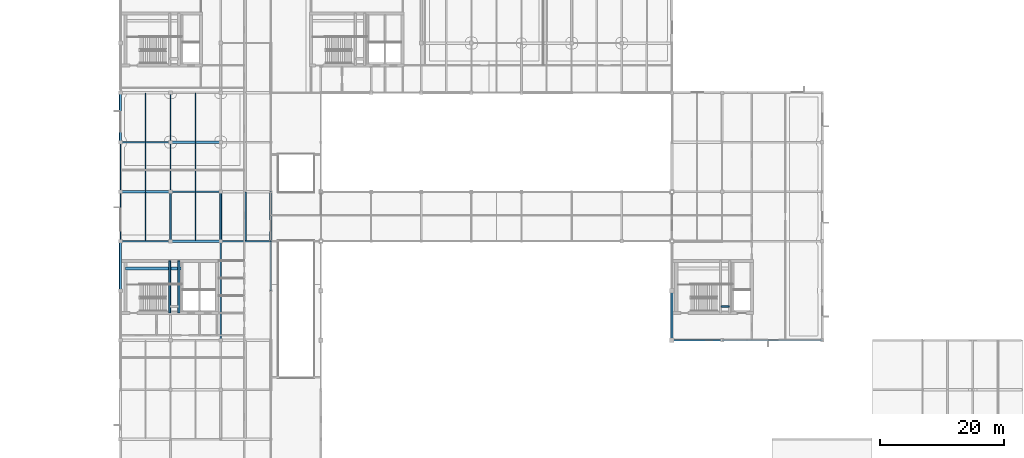
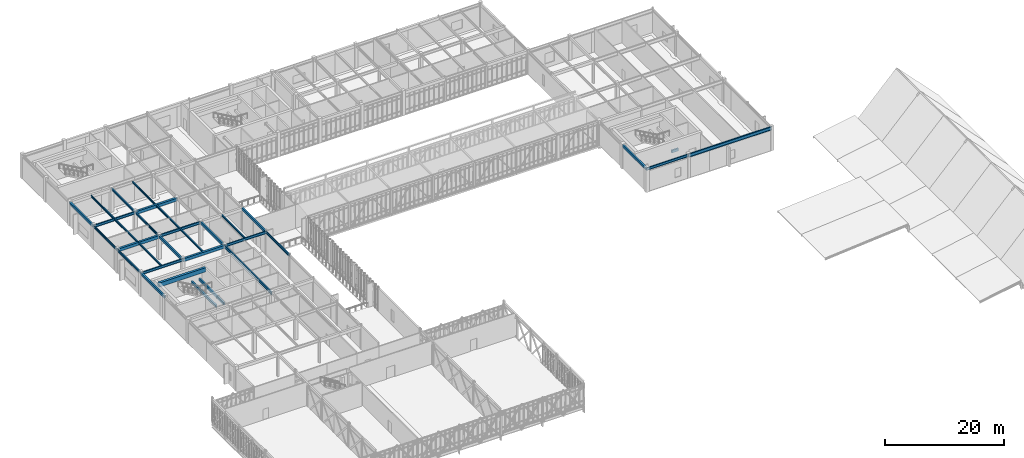
# One storey, part 25 of 107: 32 beams.
"""IFC4 building model written with IfcOpenShell, lengths in metres."""

from ifc_helpers import new_model, si_unit, direction, frame, origin, origin_2d, place, context, subcontext, project, spatial, rectangle, i_section, extrude, material, material_profile, profile_set, type_object, element, save


model = new_model("IFC4")

# Units and contexts
model_context = context("Model", 3, precision=1e-05, world=origin(), true_north=direction((0.0, 1.0)))
body_context = subcontext(model_context, "Body", "Model", "MODEL_VIEW")
ifc_project = project(units=[si_unit("LENGTHUNIT", "METRE"), si_unit("AREAUNIT", "SQUARE_METRE"), si_unit("VOLUMEUNIT", "CUBIC_METRE"), si_unit("PLANEANGLEUNIT", "RADIAN"), si_unit("MASSUNIT", "GRAM", prefix="KILO")], contexts=[model_context])

# Site, building, storey
site_placement = place(None, origin())
site = spatial("IfcSite", under=ifc_project, at=site_placement, CompositionType="ELEMENT")
building_placement = place(site_placement, origin())
building = spatial("IfcBuilding", under=site, at=building_placement, Name="Tarnveldt Square Police Headquarters", CompositionType="ELEMENT")
storey_placement = place(building_placement, frame((0.0, 0.0, 14.699951171875)))
storey = spatial("IfcBuildingStorey", under=building, at=storey_placement, Name="L03", CompositionType="ELEMENT", Elevation=14.699951171875)

# Beams
ifc_material_1 = material(Name="Concrete 50 MPa", Category="concrete")
ifc_material_profile_1 = material_profile(ifc_material_1, rectangle(XDim=0.449951171875, YDim=0.85009765625, at=origin_2d()), Name="RC-CB450x850")
ifc_profile_set_1 = profile_set([ifc_material_profile_1], Name="Concrete 50 MPa")
beam_type_1 = type_object("IfcBeamType", Name="BM-CB450x850", PredefinedType="BEAM", material=ifc_profile_set_1)
beam_1_placement = place(storey_placement, frame((17.0, 67.60009765625, 4.675048828125), z_axis=(1.0, 0.0, 0.0), x_axis=(0.0, 1.0, 0.0)))
element("IfcBeam", 1, at=beam_1_placement, inside=storey, type_object=beam_type_1, Name="Core K1 South-West Command and Firefighting Core L03 Ductile Coupling Beam", PredefinedType="BEAM", context=body_context, shape_type="SweptSolid", body=[
    extrude(rectangle(XDim=0.449951171875, YDim=0.85009765625, at=origin_2d()), origin(), (0.0, 0.0, 1.0), 9.14990234375),
])
ifc_material_2 = material(Name="Concrete 40 MPa", Category="concrete")
ifc_material_profile_2 = material_profile(ifc_material_2, rectangle(XDim=0.300048828125, YDim=0.5, at=origin_2d()), Name="RC-B300x500")
ifc_profile_set_2 = profile_set([ifc_material_profile_2], Name="Concrete 40 MPa")
beam_type_2 = type_object("IfcBeamType", Name="BM-RC300x500", PredefinedType="BEAM", material=ifc_profile_set_2)
for number, where, z_axis, x_axis, name in (
    (2, (24.14990234375, 60.39990234375, 2.10009765625), (0.0, 1.0, 0.0), (-1.0, 0.0, 0.0), "ST1 L03 Half-Landing Support Beam 1"),
    (3, (25.64990234375, 60.39990234375, 2.10009765625), (0.0, 1.0, 0.0), (-1.0, 0.0, 0.0), "ST1 L03 Half-Landing Transverse Support Beam"),
):
    element("IfcBeam", number, at=place(storey_placement, frame(where, z_axis=z_axis, x_axis=x_axis)), inside=storey, type_object=beam_type_2, Name=name, PredefinedType="BEAM", context=body_context, shape_type="SweptSolid", body=[
        extrude(rectangle(XDim=0.300048828125, YDim=0.5, at=origin_2d()), origin(), (0.0, 0.0, 1.0), 8.400146484375),
    ])
beam_2_placement = place(storey_placement, frame((113.25, 61.449951171875, 2.10009765625), z_axis=(1.0, 0.0, 0.0), x_axis=(0.0, 1.0, 0.0)))
element("IfcBeam", 4, at=beam_2_placement, inside=storey, type_object=beam_type_2, Name="ST4 L03 Half-Landing Support Beam 2", PredefinedType="BEAM", context=body_context, shape_type="SweptSolid", body=[
    extrude(rectangle(XDim=0.300048828125, YDim=0.5, at=origin_2d()), origin(), (0.0, 0.0, 1.0), 1.300048828125),
])
for number, where, z_axis, x_axis, name in (
    (5, (16.199951171875, 64.0, 4.590087890625), (0.0, 1.0, 0.0), (-1.0, 0.0, 0.0), "L04 Grid Girder Y-0865"),
    (6, (16.199951171875, 88.0, 4.590087890625), (0.0, 1.0, 0.0), (-1.0, 0.0, 0.0), "L04 Grid Girder Y-0868"),
    (7, (24.300048828125, 72.0, 4.590087890625), (0.0, 1.0, 0.0), (-1.0, 0.0, 0.0), "L04 Grid Girder Y-0874"),
    (8, (32.39990234375, 72.0, 4.590087890625), (0.0, 1.0, 0.0), (-1.0, 0.0, 0.0), "L04 Grid Girder Y-0880"),
    (9, (40.5, 72.0, 4.590087890625), (0.0, 1.0, 0.0), (-1.0, 0.0, 0.0), "L04 Grid Girder Y-0889"),
    (10, (105.300048828125, 56.0, 4.590087890625), (0.0, 1.0, 0.0), (-1.0, 0.0, 0.0), "L04 Grid Girder Y-0904"),
):
    element("IfcBeam", number, at=place(storey_placement, frame(where, z_axis=z_axis, x_axis=x_axis)), inside=storey, type_object=beam_type_2, Name=name, PredefinedType="BEAM", context=body_context, shape_type="SweptSolid", body=[
        extrude(rectangle(XDim=0.300048828125, YDim=0.5, at=origin_2d()), origin(), (0.0, 0.0, 1.0), 8.0),
    ])
ifc_material_profile_3 = material_profile(ifc_material_2, rectangle(XDim=0.39990234375, YDim=0.60009765625, at=origin_2d()), Name="RC-B400x600")
ifc_profile_set_3 = profile_set([ifc_material_profile_3], Name="Concrete 40 MPa")
beam_type_3 = type_object("IfcBeamType", Name="BM-RC400x600", PredefinedType="BEAM", material=ifc_profile_set_3)
beam_3_placement = place(storey_placement, frame((24.300048828125, 72.0, 4.5400390625), z_axis=(1.0, 0.0, 0.0), x_axis=(0.0, 1.0, 0.0)))
element("IfcBeam", 11, at=beam_3_placement, inside=storey, type_object=beam_type_3, Name="L04 Grid Girder X-0818", PredefinedType="BEAM", context=body_context, shape_type="SweptSolid", body=[
    extrude(rectangle(XDim=0.39990234375, YDim=0.60009765625, at=origin_2d()), origin(), (0.0, 0.0, 1.0), 8.099853515625),
])
beam_4_placement = place(storey_placement, frame((16.199951171875, 80.0, 4.5400390625), z_axis=(1.0, 0.0, 0.0), x_axis=(0.0, 1.0, 0.0)))
element("IfcBeam", 12, at=beam_4_placement, inside=storey, type_object=beam_type_3, Name="L04 Grid Girder X-0822", PredefinedType="BEAM", context=body_context, shape_type="SweptSolid", body=[
    extrude(rectangle(XDim=0.39990234375, YDim=0.60009765625, at=origin_2d()), origin(), (0.0, 0.0, 1.0), 8.10009765625),
])
beam_5_placement = place(storey_placement, frame((24.300048828125, 88.0, 4.5400390625), z_axis=(1.0, 0.0, 0.0), x_axis=(0.0, 1.0, 0.0)))
element("IfcBeam", 13, at=beam_5_placement, inside=storey, type_object=beam_type_3, Name="L04 Grid Girder X-0828", PredefinedType="BEAM", context=body_context, shape_type="SweptSolid", body=[
    extrude(rectangle(XDim=0.39990234375, YDim=0.60009765625, at=origin_2d()), origin(), (0.0, 0.0, 1.0), 8.099853515625),
])
ifc_material_3 = material(Name="Steel 350W", Category="steel")
ifc_material_profile_4 = material_profile(ifc_material_3, i_section(OverallWidth=0.202880859375, OverallDepth=0.302978515625, WebThickness=0.007568359375, FlangeThickness=0.01318359375, FilletRadius=0.014892578125, at=origin_2d()), Name="W310x60")
ifc_profile_set_4 = profile_set([ifc_material_profile_4], Name="Steel 350W")
beam_type_4 = type_object("IfcBeamType", Name="BM-W310x60", PredefinedType="JOIST", material=ifc_profile_set_4)
beam_6_placement = place(storey_placement, frame((36.449951171875, 72.080078125, 4.6884765625), z_axis=(0.0, 1.0, 0.0), x_axis=(-1.0, 0.0, 0.0)))
element("IfcBeam", 14, at=beam_6_placement, inside=storey, type_object=beam_type_4, Name="L04 Secondary Floor Joist 0188", PredefinedType="JOIST", context=body_context, shape_type="SweptSolid", body=[
    extrude(i_section(OverallWidth=0.202880859375, OverallDepth=0.302978515625, WebThickness=0.007568359375, FlangeThickness=0.01318359375, FilletRadius=0.014892578125, at=origin_2d()), origin(), (0.0, 0.0, 1.0), 7.83984375),
])
ifc_material_profile_5 = material_profile(ifc_material_3, i_section(OverallWidth=0.202880859375, OverallDepth=0.346923828125, WebThickness=0.0078125, FlangeThickness=0.013427734375, FilletRadius=0.01611328125, at=origin_2d()), Name="W360x64")
ifc_profile_set_5 = profile_set([ifc_material_profile_5], Name="Steel 350W")
beam_type_5 = type_object("IfcBeamType", Name="BM-W360x64", PredefinedType="JOIST", material=ifc_profile_set_5)
for number, where, z_axis, x_axis, name in (
    (15, (28.35009765625, 72.080078125, 4.66650390625), (0.0, 1.0, 0.0), (-1.0, 0.0, 0.0), "L04 Secondary Floor Joist 0187"),
    (16, (28.35009765625, 80.080078125, 4.66650390625), (0.0, 1.0, 0.0), (-1.0, 0.0, 0.0), "L04 Secondary Floor Joist 0191"),
    (17, (28.35009765625, 88.080078125, 4.66650390625), (0.0, 1.0, 0.0), (-1.0, 0.0, 0.0), "L04 Secondary Floor Joist 0195"),
):
    element("IfcBeam", number, at=place(storey_placement, frame(where, z_axis=z_axis, x_axis=x_axis)), inside=storey, type_object=beam_type_5, Name=name, PredefinedType="JOIST", context=body_context, shape_type="SweptSolid", body=[
        extrude(i_section(OverallWidth=0.202880859375, OverallDepth=0.346923828125, WebThickness=0.0078125, FlangeThickness=0.013427734375, FilletRadius=0.01611328125, at=origin_2d()), origin(), (0.0, 0.0, 1.0), 7.83984375),
    ])
ifc_material_profile_6 = material_profile(ifc_material_3, i_section(OverallWidth=0.205078125, OverallDepth=0.35400390625, WebThickness=0.009521484375, FlangeThickness=0.016845703125, FilletRadius=0.01611328125, at=origin_2d()), Name="W360x79")
ifc_profile_set_6 = profile_set([ifc_material_profile_6], Name="Steel 350W")
beam_type_6 = type_object("IfcBeamType", Name="BM-W360x79", PredefinedType="JOIST", material=ifc_profile_set_6)
for number, where, z_axis, x_axis, name in (
    (18, (20.25, 72.080078125, 4.6630859375), (0.0, 1.0, 0.0), (-1.0, 0.0, 0.0), "L04 Secondary Floor Joist 0186"),
    (19, (20.25, 80.080078125, 4.6630859375), (0.0, 1.0, 0.0), (-1.0, 0.0, 0.0), "L04 Secondary Floor Joist 0190"),
    (20, (20.25, 88.080078125, 4.6630859375), (0.0, 1.0, 0.0), (-1.0, 0.0, 0.0), "L04 Secondary Floor Joist 0194"),
):
    element("IfcBeam", number, at=place(storey_placement, frame(where, z_axis=z_axis, x_axis=x_axis)), inside=storey, type_object=beam_type_6, Name=name, PredefinedType="JOIST", context=body_context, shape_type="SweptSolid", body=[
        extrude(i_section(OverallWidth=0.205078125, OverallDepth=0.35400390625, WebThickness=0.009521484375, FlangeThickness=0.016845703125, FilletRadius=0.01611328125, at=origin_2d()), origin(), (0.0, 0.0, 1.0), 7.83984375),
    ])
ifc_material_profile_7 = material_profile(ifc_material_3, i_section(OverallWidth=0.19189453125, OverallDepth=0.462890625, WebThickness=0.010498046875, FlangeThickness=0.017578125, FilletRadius=0.01806640625, at=origin_2d()), Name="W460x89")
ifc_profile_set_7 = profile_set([ifc_material_profile_7], Name="Steel 350W")
beam_type_7 = type_object("IfcBeamType", Name="BM-W460x89", PredefinedType="BEAM", material=ifc_profile_set_7)
for number, where, z_axis, x_axis, name in (
    (21, (16.199951171875, 72.0, 4.608642578125), (0.0, 1.0, 0.0), (-1.0, 0.0, 0.0), "L04 Grid Girder Y-0866"),
    (22, (16.199951171875, 80.0, 4.608642578125), (0.0, 1.0, 0.0), (-1.0, 0.0, 0.0), "L04 Grid Girder Y-0867"),
    (23, (24.300048828125, 80.0, 4.608642578125), (0.0, 1.0, 0.0), (-1.0, 0.0, 0.0), "L04 Grid Girder Y-0875"),
    (24, (24.300048828125, 88.0, 4.608642578125), (0.0, 1.0, 0.0), (-1.0, 0.0, 0.0), "L04 Grid Girder Y-0876"),
    (25, (40.5, 64.0, 4.608642578125), (0.0, 1.0, 0.0), (-1.0, 0.0, 0.0), "L04 Grid Girder Y-0888"),
):
    element("IfcBeam", number, at=place(storey_placement, frame(where, z_axis=z_axis, x_axis=x_axis)), inside=storey, type_object=beam_type_7, Name=name, PredefinedType="BEAM", context=body_context, shape_type="SweptSolid", body=[
        extrude(i_section(OverallWidth=0.19189453125, OverallDepth=0.462890625, WebThickness=0.010498046875, FlangeThickness=0.017578125, FilletRadius=0.01806640625, at=origin_2d()), origin(), (0.0, 0.0, 1.0), 8.0),
    ])
ifc_material_profile_8 = material_profile(ifc_material_3, i_section(OverallWidth=0.208984375, OverallDepth=0.532958984375, WebThickness=0.01025390625, FlangeThickness=0.015625, FilletRadius=0.01904296875, at=origin_2d()), Name="W530x92")
ifc_profile_set_8 = profile_set([ifc_material_profile_8], Name="Steel 350W")
beam_type_8 = type_object("IfcBeamType", Name="BM-W530x92", PredefinedType="BEAM", material=ifc_profile_set_8)
beam_7_placement = place(storey_placement, frame((105.300048828125, 56.0, 4.573486328125), z_axis=(1.0, 0.0, 0.0), x_axis=(0.0, 1.0, 0.0)))
element("IfcBeam", 26, at=beam_7_placement, inside=storey, type_object=beam_type_8, Name="L04 Grid Girder X-0815", PredefinedType="BEAM", context=body_context, shape_type="SweptSolid", body=[
    extrude(i_section(OverallWidth=0.208984375, OverallDepth=0.532958984375, WebThickness=0.01025390625, FlangeThickness=0.015625, FilletRadius=0.01904296875, at=origin_2d()), origin(), (0.0, 0.0, 1.0), 8.099853515625),
])
for number, where, z_axis, x_axis, name in (
    (27, (16.199951171875, 72.0, 4.573486328125), (1.0, 0.0, 0.0), (0.0, 1.0, 0.0), "L04 Grid Girder X-0817"),
    (28, (32.39990234375, 72.0, 4.573486328125), (1.0, 0.0, 0.0), (0.0, 1.0, 0.0), "L04 Grid Girder X-0819"),
):
    element("IfcBeam", number, at=place(storey_placement, frame(where, z_axis=z_axis, x_axis=x_axis)), inside=storey, type_object=beam_type_8, Name=name, PredefinedType="BEAM", context=body_context, shape_type="SweptSolid", body=[
        extrude(i_section(OverallWidth=0.208984375, OverallDepth=0.532958984375, WebThickness=0.01025390625, FlangeThickness=0.015625, FilletRadius=0.01904296875, at=origin_2d()), origin(), (0.0, 0.0, 1.0), 8.10009765625),
    ])
beam_8_placement = place(storey_placement, frame((24.300048828125, 80.0, 4.573486328125), z_axis=(1.0, 0.0, 0.0), x_axis=(0.0, 1.0, 0.0)))
element("IfcBeam", 29, at=beam_8_placement, inside=storey, type_object=beam_type_8, Name="L04 Grid Girder X-0823", PredefinedType="BEAM", context=body_context, shape_type="SweptSolid", body=[
    extrude(i_section(OverallWidth=0.208984375, OverallDepth=0.532958984375, WebThickness=0.01025390625, FlangeThickness=0.015625, FilletRadius=0.01904296875, at=origin_2d()), origin(), (0.0, 0.0, 1.0), 8.099853515625),
])
beam_9_placement = place(storey_placement, frame((16.199951171875, 88.0, 4.573486328125), z_axis=(1.0, 0.0, 0.0), x_axis=(0.0, 1.0, 0.0)))
element("IfcBeam", 30, at=beam_9_placement, inside=storey, type_object=beam_type_8, Name="L04 Grid Girder X-0827", PredefinedType="BEAM", context=body_context, shape_type="SweptSolid", body=[
    extrude(i_section(OverallWidth=0.208984375, OverallDepth=0.532958984375, WebThickness=0.01025390625, FlangeThickness=0.015625, FilletRadius=0.01904296875, at=origin_2d()), origin(), (0.0, 0.0, 1.0), 8.10009765625),
])
ifc_material_profile_9 = material_profile(ifc_material_3, i_section(OverallWidth=0.22900390625, OverallDepth=0.612060546875, WebThickness=0.011962890625, FlangeThickness=0.01953125, FilletRadius=0.01904296875, at=origin_2d()), Name="W610x125")
ifc_profile_set_9 = profile_set([ifc_material_profile_9], Name="Steel 350W")
beam_type_9 = type_object("IfcBeamType", Name="BM-W610x125", PredefinedType="BEAM", material=ifc_profile_set_9)
beam_10_placement = place(storey_placement, frame((32.39990234375, 56.0, 4.533935546875), z_axis=(0.0, 1.0, 0.0), x_axis=(-1.0, 0.0, 0.0)))
element("IfcBeam", 31, at=beam_10_placement, inside=storey, type_object=beam_type_9, Name="L04 Grid Girder Y-0879", PredefinedType="BEAM", context=body_context, shape_type="SweptSolid", body=[
    extrude(i_section(OverallWidth=0.22900390625, OverallDepth=0.612060546875, WebThickness=0.011962890625, FlangeThickness=0.01953125, FilletRadius=0.01904296875, at=origin_2d()), origin(), (0.0, 0.0, 1.0), 16.0),
])
ifc_material_profile_10 = material_profile(ifc_material_3, i_section(OverallWidth=0.25390625, OverallDepth=0.68798828125, WebThickness=0.01318359375, FlangeThickness=0.02099609375, FilletRadius=0.02001953125, at=origin_2d()), Name="W690x152")
ifc_profile_set_10 = profile_set([ifc_material_profile_10], Name="Steel 350W")
beam_type_10 = type_object("IfcBeamType", Name="BM-W690x152", PredefinedType="BEAM", material=ifc_profile_set_10)
beam_11_placement = place(storey_placement, frame((113.39990234375, 56.0, 4.49609375), z_axis=(1.0, 0.0, 0.0), x_axis=(0.0, 1.0, 0.0)))
element("IfcBeam", 32, at=beam_11_placement, inside=storey, type_object=beam_type_10, Name="L04 Grid Girder X-0816", PredefinedType="BEAM", context=body_context, shape_type="SweptSolid", body=[
    extrude(i_section(OverallWidth=0.25390625, OverallDepth=0.68798828125, WebThickness=0.01318359375, FlangeThickness=0.02099609375, FilletRadius=0.02001953125, at=origin_2d()), origin(), (0.0, 0.0, 1.0), 16.2001953125),
])

save(model, "model.ifc")
